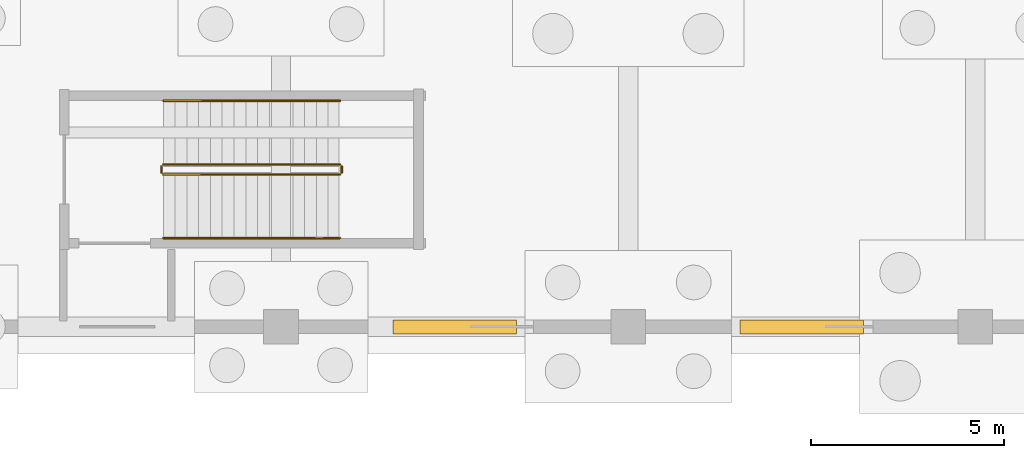
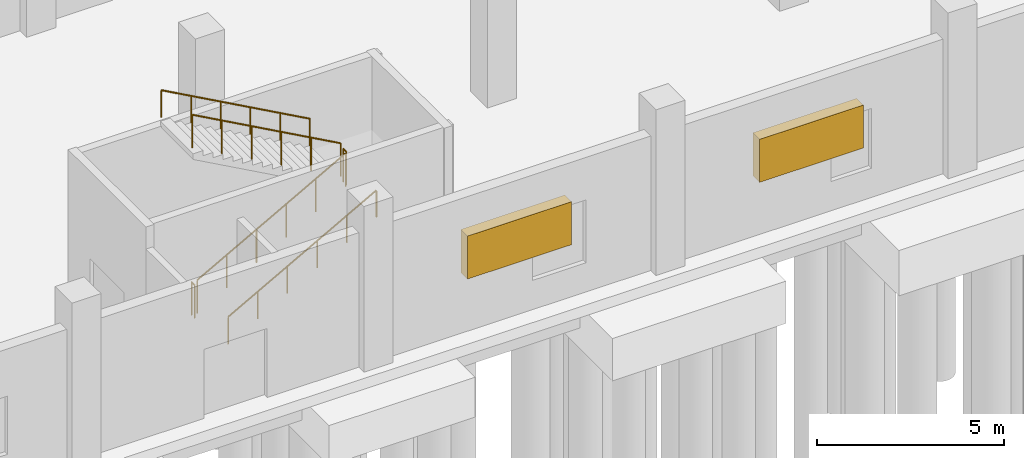
# One storey, part 72 of 103: 6 railings, 2 shading devices.
"""IFC4 building model written with IfcOpenShell, lengths in metres."""

from ifc_helpers import new_model, si_unit, direction, frame, origin, origin_2d, place, context, subcontext, project, spatial, rectangle, circle, extrude, material, layer, layer_set, type_object, element, save


model = new_model("IFC4")

# Units and contexts
model_context = context("Model", 3, precision=1e-05, world=origin(), true_north=direction((0.0, 1.0)))
body_context = subcontext(model_context, "Body", "Model", "MODEL_VIEW")
ifc_project = project(units=[si_unit("LENGTHUNIT", "METRE"), si_unit("AREAUNIT", "SQUARE_METRE"), si_unit("VOLUMEUNIT", "CUBIC_METRE"), si_unit("PLANEANGLEUNIT", "RADIAN"), si_unit("MASSUNIT", "GRAM", prefix="KILO")], contexts=[model_context])

# Site, building, storey
site_placement = place(None, origin())
site = spatial("IfcSite", under=ifc_project, at=site_placement, CompositionType="ELEMENT")
building_placement = place(site_placement, origin())
building = spatial("IfcBuilding", under=site, at=building_placement, Name="Zevraka Park Crest Stadium", CompositionType="ELEMENT")
storey_placement = place(building_placement, origin())
storey = spatial("IfcBuildingStorey", under=building, at=storey_placement, Name="L00", CompositionType="ELEMENT", Elevation=0.0)

# Railings
ifc_material_1 = material(Name="Powder-coated tubular steel stairwell guard", Category="steel")
railing_type_1 = type_object("IfcRailingType", Name="GR03", PredefinedType="GUARDRAIL", material=ifc_material_1)
railing_1_placement = place(storey_placement, frame((166.949951171875, 3.949951171875, 0.168701171875)))
element("IfcRailing", 1, at=railing_1_placement, inside=storey, type_object=railing_type_1, Name="L00 ST53 stair guard 1", PredefinedType="GUARDRAIL", context=body_context, shape_type="SweptSolid", body=[
    extrude(circle(Radius=0.02392578125, at=origin_2d()), frame((0.0, 0.0, 1.076171875), z_axis=(0.874999533545, 0.0, 0.484123761342), x_axis=(0.0, 1.0, 0.0)), (0.0, 0.0, 1.0), 5.228515625),
    extrude(circle(Radius=0.02099609375, at=origin_2d()), origin(), (0.0, 0.0, 1.0), 1.052001953125),
    extrude(circle(Radius=0.02099609375, at=origin_2d()), frame((0.9150390625, 0.0, 0.50634765625)), (0.0, 0.0, 1.0), 1.052001953125),
    extrude(circle(Radius=0.02099609375, at=origin_2d()), frame((1.830078125, 0.0, 1.012451171875)), (0.0, 0.0, 1.0), 1.052001953125),
    extrude(circle(Radius=0.02099609375, at=origin_2d()), frame((2.744873046875, 0.0, 1.518798828125)), (0.0, 0.0, 1.0), 1.052001953125),
    extrude(circle(Radius=0.02099609375, at=origin_2d()), frame((3.659912109375, 0.0, 2.02490234375)), (0.0, 0.0, 1.0), 1.052001953125),
    extrude(circle(Radius=0.02099609375, at=origin_2d()), frame((4.574951171875, 0.0, 2.53125)), (0.0, 0.0, 1.0), 1.052001953125),
])
railing_2_placement = place(storey_placement, frame((171.574951171875, 4.0, 2.699951171875)))
element("IfcRailing", 2, at=railing_2_placement, inside=storey, type_object=railing_type_1, Name="L00 ST53 stair guard 2", PredefinedType="GUARDRAIL", context=body_context, shape_type="SweptSolid", body=[
    extrude(circle(Radius=0.02392578125, at=origin_2d()), frame((0.0, 0.0, 1.076171875), z_axis=(0.0, 1.0, 0.0), x_axis=(-1.0, 0.0, 0.0)), (0.0, 0.0, 1.0), 0.159912109375),
    extrude(circle(Radius=0.02099609375, at=origin_2d()), origin(), (0.0, 0.0, 1.0), 1.052001953125),
    extrude(circle(Radius=0.02099609375, at=origin_2d()), frame((0.0, 0.159912109375, 0.0)), (0.0, 0.0, 1.0), 1.052001953125),
])
railing_3_placement = place(storey_placement, frame((171.52490234375, 4.2099609375, 2.86865234375)))
element("IfcRailing", 3, at=railing_3_placement, inside=storey, type_object=railing_type_1, Name="L00 ST53 stair guard 3", PredefinedType="GUARDRAIL", context=body_context, shape_type="SweptSolid", body=[
    extrude(circle(Radius=0.02392578125, at=origin_2d()), frame((0.0, 0.0, 1.076171875), z_axis=(-0.874999533545, 0.0, 0.484123761342), x_axis=(0.0, -1.0, 0.0)), (0.0, 0.0, 1.0), 5.228515625),
    extrude(circle(Radius=0.02099609375, at=origin_2d()), origin(), (0.0, 0.0, 1.0), 1.052001953125),
    extrude(circle(Radius=0.02099609375, at=origin_2d()), frame((-0.9150390625, 0.0, 0.50634765625)), (0.0, 0.0, 1.0), 1.052001953125),
    extrude(circle(Radius=0.02099609375, at=origin_2d()), frame((-1.830078125, 0.0, 1.012451171875)), (0.0, 0.0, 1.0), 1.052001953125),
    extrude(circle(Radius=0.02099609375, at=origin_2d()), frame((-2.744873046875, 0.0, 1.518798828125)), (0.0, 0.0, 1.0), 1.052001953125),
    extrude(circle(Radius=0.02099609375, at=origin_2d()), frame((-3.659912109375, 0.0, 2.02490234375)), (0.0, 0.0, 1.0), 1.052001953125),
    extrude(circle(Radius=0.02099609375, at=origin_2d()), frame((-4.574951171875, 0.0, 2.53125)), (0.0, 0.0, 1.0), 1.052001953125),
])
railing_4_placement = place(storey_placement, frame((166.89990234375, 4.0, 0.0)))
element("IfcRailing", 4, at=railing_4_placement, inside=storey, type_object=railing_type_1, Name="L00 ST53 stair guard 4", PredefinedType="GUARDRAIL", context=body_context, shape_type="SweptSolid", body=[
    extrude(circle(Radius=0.02392578125, at=origin_2d()), frame((0.0, 0.0, 1.076171875), z_axis=(0.0, 1.0, 0.0), x_axis=(-1.0, 0.0, 0.0)), (0.0, 0.0, 1.0), 0.159912109375),
    extrude(circle(Radius=0.02099609375, at=origin_2d()), origin(), (0.0, 0.0, 1.0), 1.052001953125),
    extrude(circle(Radius=0.02099609375, at=origin_2d()), frame((0.0, 0.159912109375, 0.0)), (0.0, 0.0, 1.0), 1.052001953125),
])
ifc_material_2 = material(Name="Brushed stainless steel continuous handrail", Category="steel")
railing_type_2 = type_object("IfcRailingType", Name="HR01", PredefinedType="HANDRAIL", material=ifc_material_2)
railing_5_placement = place(storey_placement, frame((166.949951171875, 2.300048828125, 0.168701171875)))
element("IfcRailing", 5, at=railing_5_placement, inside=storey, type_object=railing_type_2, Name="L00 ST53 stair handrail 1", PredefinedType="HANDRAIL", context=body_context, shape_type="SweptSolid", body=[
    extrude(circle(Radius=0.02392578125, at=origin_2d()), frame((0.0, 0.0, 0.8759765625), z_axis=(0.874999533545, 0.0, 0.484123761342), x_axis=(0.0, 1.0, 0.0)), (0.0, 0.0, 1.0), 5.228515625),
    extrude(circle(Radius=0.02099609375, at=origin_2d()), origin(), (0.0, 0.0, 1.0), 0.851806640625),
    extrude(circle(Radius=0.02099609375, at=origin_2d()), frame((0.9150390625, 0.0, 0.50634765625)), (0.0, 0.0, 1.0), 0.851806640625),
    extrude(circle(Radius=0.02099609375, at=origin_2d()), frame((1.830078125, 0.0, 1.012451171875)), (0.0, 0.0, 1.0), 0.851806640625),
    extrude(circle(Radius=0.02099609375, at=origin_2d()), frame((2.744873046875, 0.0, 1.518798828125)), (0.0, 0.0, 1.0), 0.851806640625),
    extrude(circle(Radius=0.02099609375, at=origin_2d()), frame((3.659912109375, 0.0, 2.02490234375)), (0.0, 0.0, 1.0), 0.851806640625),
    extrude(circle(Radius=0.02099609375, at=origin_2d()), frame((4.574951171875, 0.0, 2.53125)), (0.0, 0.0, 1.0), 0.851806640625),
])
railing_6_placement = place(storey_placement, frame((171.52490234375, 5.860107421875, 2.86865234375)))
element("IfcRailing", 6, at=railing_6_placement, inside=storey, type_object=railing_type_2, Name="L00 ST53 stair handrail 2", PredefinedType="HANDRAIL", context=body_context, shape_type="SweptSolid", body=[
    extrude(circle(Radius=0.02392578125, at=origin_2d()), frame((0.0, 0.0, 0.8759765625), z_axis=(-0.874999533545, 0.0, 0.484123761342), x_axis=(0.0, -1.0, 0.0)), (0.0, 0.0, 1.0), 5.228515625),
    extrude(circle(Radius=0.02099609375, at=origin_2d()), origin(), (0.0, 0.0, 1.0), 0.851806640625),
    extrude(circle(Radius=0.02099609375, at=origin_2d()), frame((-0.9150390625, 0.0, 0.50634765625)), (0.0, 0.0, 1.0), 0.851806640625),
    extrude(circle(Radius=0.02099609375, at=origin_2d()), frame((-1.830078125, 0.0, 1.012451171875)), (0.0, 0.0, 1.0), 0.851806640625),
    extrude(circle(Radius=0.02099609375, at=origin_2d()), frame((-2.744873046875, 0.0, 1.518798828125)), (0.0, 0.0, 1.0), 0.851806640625),
    extrude(circle(Radius=0.02099609375, at=origin_2d()), frame((-3.659912109375, 0.0, 2.02490234375)), (0.0, 0.0, 1.0), 0.851806640625),
    extrude(circle(Radius=0.02099609375, at=origin_2d()), frame((-4.574951171875, 0.0, 2.53125)), (0.0, 0.0, 1.0), 0.851806640625),
])

# Shading devices
ifc_material_3 = material(Name="Terracotta and bronze acoustic ventilation louvre", Category="masonry")
ifc_layer = layer(ifc_material_3, 0.080078125)
ifc_layer_set = layer_set([ifc_layer], Name="Terracotta and bronze acoustic ventilation louvre")
shading_device_type = type_object("IfcShadingDeviceType", Name="LVR01", PredefinedType="USERDEFINED", material=ifc_layer_set)
for number, where, z_axis, x_axis, name in (
    (7, (183.5, 0.0, 1.699951171875), (0.0, 0.0, 1.0), (-1.0, 0.0, 0.0), "Plant Ventilation Louvre LVR01 L00-5"),
    (8, (174.5, 0.0, 1.699951171875), (0.0, 0.0, 1.0), (-1.0, 0.0, 0.0), "Plant Ventilation Louvre LVR01 L00-6"),
):
    element("IfcShadingDevice", number, at=place(storey_placement, frame(where, z_axis=z_axis, x_axis=x_axis)), inside=storey, type_object=shading_device_type, Name=name, ObjectType="LOUVRE", PredefinedType="USERDEFINED", context=body_context, shape_type="SweptSolid", body=[
        extrude(rectangle(XDim=3.199951171875, YDim=0.360107421875, at=origin_2d()), origin(), (0.0, 0.0, 1.0), 1.39990234375),
    ])

save(model, "model.ifc")
